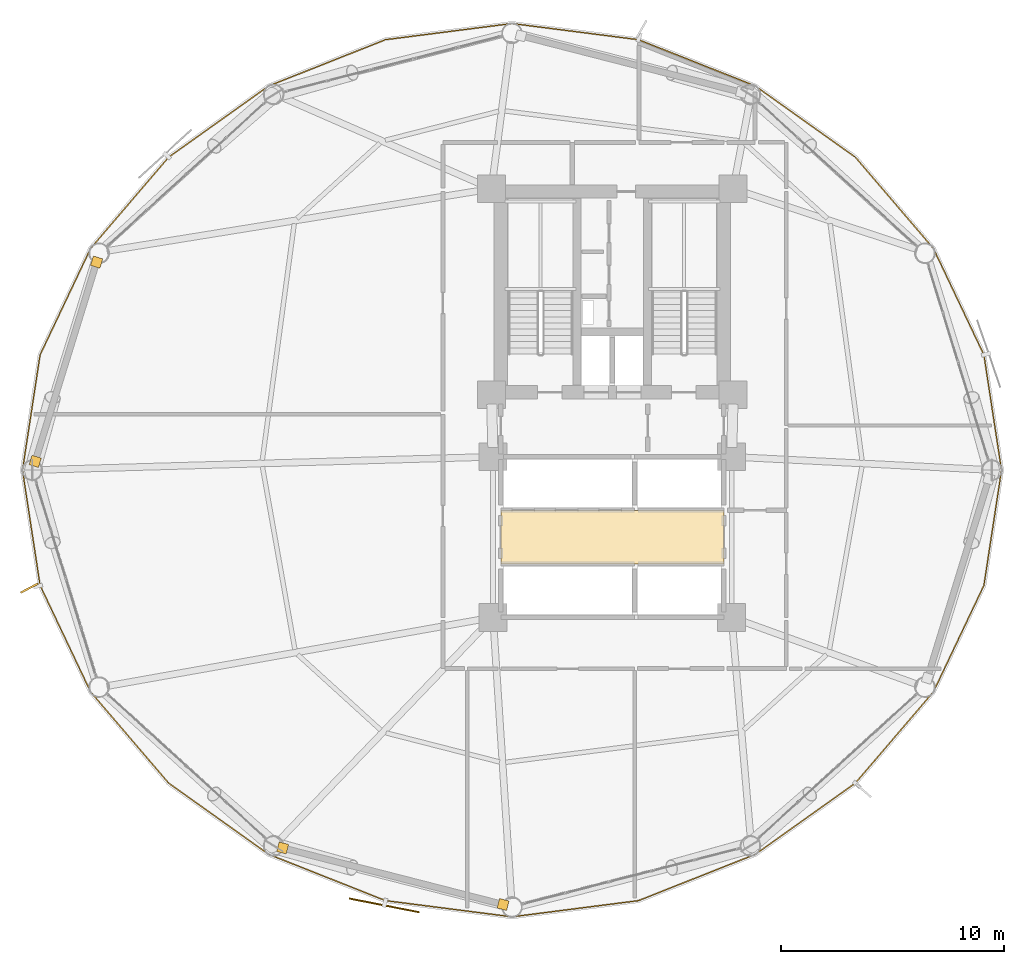
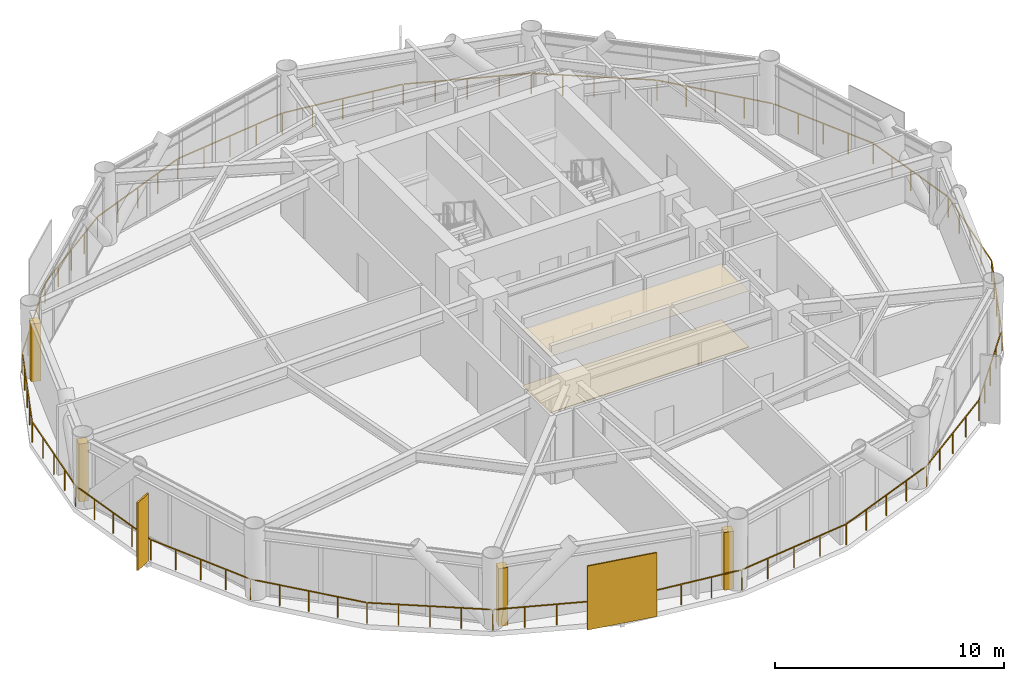
# One storey, part 23 of 25: 6 coverings, 2 shading devices, 1 railing.
"""IFC4 building model written with IfcOpenShell, lengths in metres."""

from ifc_helpers import new_model, si_unit, direction, frame, origin, origin_2d, place, context, subcontext, project, spatial, polyline, rectangle, outline, extrude, source, transform, mapped, material, layer, layer_set, type_object, type_shapes, element, save


model = new_model("IFC4")

# Units and contexts
model_context = context("Model", 3, precision=1e-05, world=origin(), true_north=direction((0.0, 1.0)))
body_context = subcontext(model_context, "Body", "Model", "MODEL_VIEW")
ifc_project = project(units=[si_unit("LENGTHUNIT", "METRE"), si_unit("AREAUNIT", "SQUARE_METRE"), si_unit("VOLUMEUNIT", "CUBIC_METRE"), si_unit("PLANEANGLEUNIT", "RADIAN"), si_unit("MASSUNIT", "GRAM", prefix="KILO")], contexts=[model_context])

# Site, building, storey
site_placement = place(None, origin())
site = spatial("IfcSite", under=ifc_project, at=site_placement, CompositionType="ELEMENT")
building_placement = place(site_placement, origin())
building = spatial("IfcBuilding", under=site, at=building_placement, Name="Varnakorn Sky Granary", CompositionType="ELEMENT")
storey_placement = place(building_placement, frame((0.0, 0.0, 62.699951171875)))
storey = spatial("IfcBuildingStorey", under=building, at=storey_placement, Name="L15", CompositionType="ELEMENT", Elevation=62.699951171875)

# Coverings
ifc_material_1 = material(Name="Perforated Acoustic Mineral-Fibre Ceiling", Category="gypsum")
ifc_layer_1 = layer(ifc_material_1, 0.02001953125, Name="Perforated Acoustic Mineral-Fibre Ceiling")
ifc_layer_set_1 = layer_set([ifc_layer_1], Name="Perforated Acoustic Mineral-Fibre Ceiling")
covering_type_1 = type_object("IfcCoveringType", Name="CV-CEIL-20", PredefinedType="CEILING", material=ifc_layer_set_1)
covering_1_placement = place(storey_placement, frame((0.0, 0.0, 2.989990234375)))
element("IfcCovering", 1, at=covering_1_placement, inside=storey, type_object=covering_type_1, Name="Lift Lobby Perforated Acoustic Ceiling L15", PredefinedType="CEILING", context=body_context, shape_type="SweptSolid", body=[
    extrude(outline(polyline([(-2.0, -4.199951171875), (8.0, -4.199951171875), (8.0, -1.800048828125), (-2.0, -1.800048828125), (-2.0, -4.199951171875)])), origin(), (0.0, 0.0, 1.0), 0.02001953125),
])
ifc_material_2 = material(Name="Honed Epoxy Terrazzo Topping", Category="concrete")
ifc_layer_2 = layer(ifc_material_2, 0.030029296875, Name="Honed Epoxy Terrazzo Topping")
ifc_layer_set_2 = layer_set([ifc_layer_2], Name="Honed Epoxy Terrazzo Topping")
covering_type_2 = type_object("IfcCoveringType", Name="CV-FLOR-30", PredefinedType="FLOORING", material=ifc_layer_set_2)
covering_2_placement = place(storey_placement, origin())
element("IfcCovering", 2, at=covering_2_placement, inside=storey, type_object=covering_type_2, Name="Lift Lobby Terrazzo Floor Finish L15", PredefinedType="FLOORING", context=body_context, shape_type="SweptSolid", body=[
    extrude(outline(polyline([(-2.0, -4.199951171875), (8.0, -4.199951171875), (8.0, -1.800048828125), (-2.0, -1.800048828125), (-2.0, -4.199951171875)])), origin(), (0.0, 0.0, 1.0), 0.030029296875),
])

# Railing
ifc_material_3 = material(Name="Anodised Bronze Aluminium Alloy 6063-T6", Category="aluminium")
railing_type = type_object("IfcRailingType", Name="RL-BAL-1120", PredefinedType="BALUSTRADE", material=ifc_material_3)
railing_placement = place(storey_placement, frame((20.454833984375, 0.0, 0.0)))
element("IfcRailing", 3, at=railing_placement, inside=storey, type_object=railing_type, Name="Perimeter Slab-Edge Safety Guard L15", PredefinedType="BALUSTRADE", context=body_context, shape_type="SweptSolid", body=[
    extrude(rectangle(XDim=0.048095703125, YDim=0.048095703125, at=origin_2d()), frame((-0.004150390625, -0.027587890625, 1.09619140625), z_axis=(-0.151159083681, -0.988509449333, 0.0), x_axis=(0.988509449333, -0.151159083681, 0.0)), (0.0, 0.0, 1.0), 5.173828125),
    extrude(rectangle(XDim=0.048095703125, YDim=0.048095703125, at=origin_2d()), frame((-0.802490234375, -5.195068359375, 1.09619140625), z_axis=(-0.428600646266, -0.903494043157, 0.0), x_axis=(0.903494043157, -0.428600646266, 0.0)), (0.0, 0.0, 1.0), 5.228271484375),
    extrude(rectangle(XDim=0.048095703125, YDim=0.048095703125, at=origin_2d()), frame((-3.07373046875, -9.96533203125, 1.09619140625), z_axis=(-0.6499954203, -0.759938124843, 0.0), x_axis=(0.759938124843, -0.6499954203, 0.0)), (0.0, 0.0, 1.0), 5.32666015625),
    extrude(rectangle(XDim=0.048095703125, YDim=0.048095703125, at=origin_2d()), frame((-6.576904296875, -14.051025390625, 1.09619140625), z_axis=(-0.814621741991, -0.579992601225, 0.0), x_axis=(0.579992601225, -0.814621741991, 0.0)), (0.0, 0.0, 1.0), 5.45361328125),
    extrude(rectangle(XDim=0.048095703125, YDim=0.048095703125, at=origin_2d()), frame((-11.068603515625, -17.240478515625, 1.09619140625), z_axis=(-0.929731866769, -0.368237227768, 0.0), x_axis=(0.368237227768, -0.929731866769, 0.0)), (0.0, 0.0, 1.0), 5.580810546875),
    extrude(rectangle(XDim=0.048095703125, YDim=0.048095703125, at=origin_2d()), frame((-16.31103515625, -19.3095703125, 1.09619140625), z_axis=(-0.991899606424, -0.127024292071, 0.0), x_axis=(0.127024292071, -0.991899606424, 0.0)), (0.0, 0.0, 1.0), 5.661865234375),
    extrude(rectangle(XDim=0.048095703125, YDim=0.048095703125, at=origin_2d()), frame((-21.982666015625, -20.028564453125, 1.09619140625), z_axis=(-0.991899606424, 0.127024292071, 0.0), x_axis=(-0.127024292071, -0.991899606424, 0.0)), (0.0, 0.0, 1.0), 5.661865234375),
    extrude(rectangle(XDim=0.048095703125, YDim=0.048095703125, at=origin_2d()), frame((-27.652587890625, -19.295654296875, 1.09619140625), z_axis=(-0.929731866769, 0.368237227768, 0.0), x_axis=(-0.368237227768, -0.929731866769, 0.0)), (0.0, 0.0, 1.0), 5.580810546875),
    extrude(rectangle(XDim=0.048095703125, YDim=0.048095703125, at=origin_2d()), frame((-32.889892578125, -17.2138671875, 1.09619140625), z_axis=(-0.814621741991, 0.579992601225, 0.0), x_axis=(-0.579992601225, -0.814621741991, 0.0)), (0.0, 0.0, 1.0), 5.45361328125),
    extrude(rectangle(XDim=0.048095703125, YDim=0.048095703125, at=origin_2d()), frame((-37.373779296875, -14.013427734375, 1.09619140625), z_axis=(-0.6499954203, 0.759938124843, 0.0), x_axis=(-0.759938124843, -0.6499954203, 0.0)), (0.0, 0.0, 1.0), 5.32666015625),
    extrude(rectangle(XDim=0.048095703125, YDim=0.048095703125, at=origin_2d()), frame((-40.8662109375, -9.918701171875, 1.09619140625), z_axis=(-0.428600646266, 0.903494043157, 0.0), x_axis=(-0.903494043157, -0.428600646266, 0.0)), (0.0, 0.0, 1.0), 5.228271484375),
    extrude(rectangle(XDim=0.048095703125, YDim=0.048095703125, at=origin_2d()), frame((-43.123291015625, -5.14208984375, 1.09619140625), z_axis=(-0.151159083681, 0.988509449333, 0.0), x_axis=(-0.988509449333, -0.151159083681, 0.0)), (0.0, 0.0, 1.0), 5.173828125),
    extrude(rectangle(XDim=0.048095703125, YDim=0.048095703125, at=origin_2d()), frame((-43.905517578125, 0.027587890625, 1.09619140625), z_axis=(0.151159083681, 0.988509449333, 0.0), x_axis=(-0.988509449333, 0.151159083681, 0.0)), (0.0, 0.0, 1.0), 5.173828125),
    extrude(rectangle(XDim=0.048095703125, YDim=0.048095703125, at=origin_2d()), frame((-43.107177734375, 5.195068359375, 1.09619140625), z_axis=(0.428600646266, 0.903494043157, 0.0), x_axis=(-0.903494043157, 0.428600646266, 0.0)), (0.0, 0.0, 1.0), 5.228271484375),
    extrude(rectangle(XDim=0.048095703125, YDim=0.048095703125, at=origin_2d()), frame((-40.8359375, 9.96533203125, 1.09619140625), z_axis=(0.6499954203, 0.759938124843, 0.0), x_axis=(-0.759938124843, 0.6499954203, 0.0)), (0.0, 0.0, 1.0), 5.32666015625),
    extrude(rectangle(XDim=0.048095703125, YDim=0.048095703125, at=origin_2d()), frame((-37.332763671875, 14.051025390625, 1.09619140625), z_axis=(0.814621741991, 0.579992601225, 0.0), x_axis=(-0.579992601225, 0.814621741991, 0.0)), (0.0, 0.0, 1.0), 5.45361328125),
    extrude(rectangle(XDim=0.048095703125, YDim=0.048095703125, at=origin_2d()), frame((-32.841064453125, 17.240478515625, 1.09619140625), z_axis=(0.929731866769, 0.368237227768, 0.0), x_axis=(-0.368237227768, 0.929731866769, 0.0)), (0.0, 0.0, 1.0), 5.580810546875),
    extrude(rectangle(XDim=0.048095703125, YDim=0.048095703125, at=origin_2d()), frame((-27.5986328125, 19.3095703125, 1.09619140625), z_axis=(0.991899606424, 0.127024292071, 0.0), x_axis=(-0.127024292071, 0.991899606424, 0.0)), (0.0, 0.0, 1.0), 5.661865234375),
    extrude(rectangle(XDim=0.048095703125, YDim=0.048095703125, at=origin_2d()), frame((-21.927001953125, 20.028564453125, 1.09619140625), z_axis=(0.991899606424, -0.127024292071, 0.0), x_axis=(0.127024292071, 0.991899606424, 0.0)), (0.0, 0.0, 1.0), 5.661865234375),
    extrude(rectangle(XDim=0.048095703125, YDim=0.048095703125, at=origin_2d()), frame((-16.257080078125, 19.295654296875, 1.09619140625), z_axis=(0.929731866769, -0.368237227768, 0.0), x_axis=(0.368237227768, 0.929731866769, 0.0)), (0.0, 0.0, 1.0), 5.580810546875),
    extrude(rectangle(XDim=0.048095703125, YDim=0.048095703125, at=origin_2d()), frame((-11.019775390625, 17.2138671875, 1.09619140625), z_axis=(0.814621741991, -0.579992601225, 0.0), x_axis=(0.579992601225, 0.814621741991, 0.0)), (0.0, 0.0, 1.0), 5.45361328125),
    extrude(rectangle(XDim=0.048095703125, YDim=0.048095703125, at=origin_2d()), frame((-6.535888671875, 14.013427734375, 1.09619140625), z_axis=(0.6499954203, -0.759938124843, 0.0), x_axis=(0.759938124843, 0.6499954203, 0.0)), (0.0, 0.0, 1.0), 5.32666015625),
    extrude(rectangle(XDim=0.048095703125, YDim=0.048095703125, at=origin_2d()), frame((-3.04345703125, 9.918701171875, 1.09619140625), z_axis=(0.428600646266, -0.903494043157, 0.0), x_axis=(0.903494043157, 0.428600646266, 0.0)), (0.0, 0.0, 1.0), 5.228271484375),
    extrude(rectangle(XDim=0.048095703125, YDim=0.048095703125, at=origin_2d()), frame((-0.786376953125, 5.14208984375, 1.09619140625), z_axis=(0.151159083681, -0.988509449333, 0.0), x_axis=(0.988509449333, 0.151159083681, 0.0)), (0.0, 0.0, 1.0), 5.173828125),
    extrude(rectangle(XDim=0.0419921875, YDim=0.0419921875, at=origin_2d()), origin(), (0.0, 0.0, 1.0), 1.068115234375),
    extrude(rectangle(XDim=0.0419921875, YDim=0.0419921875, at=origin_2d()), frame((-0.19775390625, -1.29248046875, 0.0)), (0.0, 0.0, 1.0), 1.068115234375),
    extrude(rectangle(XDim=0.0419921875, YDim=0.0419921875, at=origin_2d()), frame((-0.395263671875, -2.5849609375, 0.0)), (0.0, 0.0, 1.0), 1.068115234375),
    extrude(rectangle(XDim=0.0419921875, YDim=0.0419921875, at=origin_2d()), frame((-0.5927734375, -3.877197265625, 0.0)), (0.0, 0.0, 1.0), 1.068115234375),
    extrude(rectangle(XDim=0.0419921875, YDim=0.0419921875, at=origin_2d()), frame((-0.79052734375, -5.169677734375, 0.0)), (0.0, 0.0, 1.0), 1.068115234375),
    extrude(rectangle(XDim=0.0419921875, YDim=0.0419921875, at=origin_2d()), frame((-1.356689453125, -6.36328125, 0.0)), (0.0, 0.0, 1.0), 1.068115234375),
    extrude(rectangle(XDim=0.0419921875, YDim=0.0419921875, at=origin_2d()), frame((-1.9228515625, -7.556884765625, 0.0)), (0.0, 0.0, 1.0), 1.068115234375),
    extrude(rectangle(XDim=0.0419921875, YDim=0.0419921875, at=origin_2d()), frame((-2.4892578125, -8.75048828125, 0.0)), (0.0, 0.0, 1.0), 1.068115234375),
    extrude(rectangle(XDim=0.0419921875, YDim=0.0419921875, at=origin_2d()), frame((-3.055419921875, -9.944091796875, 0.0)), (0.0, 0.0, 1.0), 1.068115234375),
    extrude(rectangle(XDim=0.0419921875, YDim=0.0419921875, at=origin_2d()), frame((-3.93017578125, -10.966796875, 0.0)), (0.0, 0.0, 1.0), 1.068115234375),
    extrude(rectangle(XDim=0.0419921875, YDim=0.0419921875, at=origin_2d()), frame((-4.8046875, -11.9892578125, 0.0)), (0.0, 0.0, 1.0), 1.068115234375),
    extrude(rectangle(XDim=0.0419921875, YDim=0.0419921875, at=origin_2d()), frame((-5.679443359375, -13.011962890625, 0.0)), (0.0, 0.0, 1.0), 1.068115234375),
    extrude(rectangle(XDim=0.0419921875, YDim=0.0419921875, at=origin_2d()), frame((-6.55419921875, -14.03466796875, 0.0)), (0.0, 0.0, 1.0), 1.068115234375),
    extrude(rectangle(XDim=0.0419921875, YDim=0.0419921875, at=origin_2d()), frame((-7.67626953125, -14.83349609375, 0.0)), (0.0, 0.0, 1.0), 1.068115234375),
    extrude(rectangle(XDim=0.0419921875, YDim=0.0419921875, at=origin_2d()), frame((-8.79833984375, -15.63232421875, 0.0)), (0.0, 0.0, 1.0), 1.068115234375),
    extrude(rectangle(XDim=0.0419921875, YDim=0.0419921875, at=origin_2d()), frame((-9.92041015625, -16.431396484375, 0.0)), (0.0, 0.0, 1.0), 1.068115234375),
    extrude(rectangle(XDim=0.0419921875, YDim=0.0419921875, at=origin_2d()), frame((-11.04248046875, -17.230224609375, 0.0)), (0.0, 0.0, 1.0), 1.068115234375),
    extrude(rectangle(XDim=0.0419921875, YDim=0.0419921875, at=origin_2d()), frame((-12.3525390625, -17.7490234375, 0.0)), (0.0, 0.0, 1.0), 1.068115234375),
    extrude(rectangle(XDim=0.0419921875, YDim=0.0419921875, at=origin_2d()), frame((-13.662841796875, -18.26806640625, 0.0)), (0.0, 0.0, 1.0), 1.068115234375),
    extrude(rectangle(XDim=0.0419921875, YDim=0.0419921875, at=origin_2d()), frame((-14.97314453125, -18.787109375, 0.0)), (0.0, 0.0, 1.0), 1.068115234375),
    extrude(rectangle(XDim=0.0419921875, YDim=0.0419921875, at=origin_2d()), frame((-16.283203125, -19.305908203125, 0.0)), (0.0, 0.0, 1.0), 1.068115234375),
    extrude(rectangle(XDim=0.0419921875, YDim=0.0419921875, at=origin_2d()), frame((-17.701171875, -19.487548828125, 0.0)), (0.0, 0.0, 1.0), 1.068115234375),
    extrude(rectangle(XDim=0.0419921875, YDim=0.0419921875, at=origin_2d()), frame((-19.119140625, -19.6689453125, 0.0)), (0.0, 0.0, 1.0), 1.068115234375),
    extrude(rectangle(XDim=0.0419921875, YDim=0.0419921875, at=origin_2d()), frame((-20.536865234375, -19.8505859375, 0.0)), (0.0, 0.0, 1.0), 1.068115234375),
    extrude(rectangle(XDim=0.0419921875, YDim=0.0419921875, at=origin_2d()), frame((-21.954833984375, -20.0322265625, 0.0)), (0.0, 0.0, 1.0), 1.068115234375),
    extrude(rectangle(XDim=0.0419921875, YDim=0.0419921875, at=origin_2d()), frame((-23.372802734375, -19.8505859375, 0.0)), (0.0, 0.0, 1.0), 1.068115234375),
    extrude(rectangle(XDim=0.0419921875, YDim=0.0419921875, at=origin_2d()), frame((-24.79052734375, -19.6689453125, 0.0)), (0.0, 0.0, 1.0), 1.068115234375),
    extrude(rectangle(XDim=0.0419921875, YDim=0.0419921875, at=origin_2d()), frame((-26.20849609375, -19.487548828125, 0.0)), (0.0, 0.0, 1.0), 1.068115234375),
    extrude(rectangle(XDim=0.0419921875, YDim=0.0419921875, at=origin_2d()), frame((-27.62646484375, -19.305908203125, 0.0)), (0.0, 0.0, 1.0), 1.068115234375),
    extrude(rectangle(XDim=0.0419921875, YDim=0.0419921875, at=origin_2d()), frame((-28.9365234375, -18.787109375, 0.0)), (0.0, 0.0, 1.0), 1.068115234375),
    extrude(rectangle(XDim=0.0419921875, YDim=0.0419921875, at=origin_2d()), frame((-30.246826171875, -18.26806640625, 0.0)), (0.0, 0.0, 1.0), 1.068115234375),
    extrude(rectangle(XDim=0.0419921875, YDim=0.0419921875, at=origin_2d()), frame((-31.55712890625, -17.7490234375, 0.0)), (0.0, 0.0, 1.0), 1.068115234375),
    extrude(rectangle(XDim=0.0419921875, YDim=0.0419921875, at=origin_2d()), frame((-32.8671875, -17.230224609375, 0.0)), (0.0, 0.0, 1.0), 1.068115234375),
    extrude(rectangle(XDim=0.0419921875, YDim=0.0419921875, at=origin_2d()), frame((-33.9892578125, -16.431396484375, 0.0)), (0.0, 0.0, 1.0), 1.068115234375),
    extrude(rectangle(XDim=0.0419921875, YDim=0.0419921875, at=origin_2d()), frame((-35.111328125, -15.63232421875, 0.0)), (0.0, 0.0, 1.0), 1.068115234375),
    extrude(rectangle(XDim=0.0419921875, YDim=0.0419921875, at=origin_2d()), frame((-36.2333984375, -14.83349609375, 0.0)), (0.0, 0.0, 1.0), 1.068115234375),
    extrude(rectangle(XDim=0.0419921875, YDim=0.0419921875, at=origin_2d()), frame((-37.35546875, -14.03466796875, 0.0)), (0.0, 0.0, 1.0), 1.068115234375),
    extrude(rectangle(XDim=0.0419921875, YDim=0.0419921875, at=origin_2d()), frame((-38.230224609375, -13.011962890625, 0.0)), (0.0, 0.0, 1.0), 1.068115234375),
    extrude(rectangle(XDim=0.0419921875, YDim=0.0419921875, at=origin_2d()), frame((-39.10498046875, -11.9892578125, 0.0)), (0.0, 0.0, 1.0), 1.068115234375),
    extrude(rectangle(XDim=0.0419921875, YDim=0.0419921875, at=origin_2d()), frame((-39.9794921875, -10.966796875, 0.0)), (0.0, 0.0, 1.0), 1.068115234375),
    extrude(rectangle(XDim=0.0419921875, YDim=0.0419921875, at=origin_2d()), frame((-40.854248046875, -9.944091796875, 0.0)), (0.0, 0.0, 1.0), 1.068115234375),
    extrude(rectangle(XDim=0.0419921875, YDim=0.0419921875, at=origin_2d()), frame((-41.42041015625, -8.75048828125, 0.0)), (0.0, 0.0, 1.0), 1.068115234375),
    extrude(rectangle(XDim=0.0419921875, YDim=0.0419921875, at=origin_2d()), frame((-41.98681640625, -7.556884765625, 0.0)), (0.0, 0.0, 1.0), 1.068115234375),
    extrude(rectangle(XDim=0.0419921875, YDim=0.0419921875, at=origin_2d()), frame((-42.552978515625, -6.36328125, 0.0)), (0.0, 0.0, 1.0), 1.068115234375),
    extrude(rectangle(XDim=0.0419921875, YDim=0.0419921875, at=origin_2d()), frame((-43.119140625, -5.169677734375, 0.0)), (0.0, 0.0, 1.0), 1.068115234375),
    extrude(rectangle(XDim=0.0419921875, YDim=0.0419921875, at=origin_2d()), frame((-43.31689453125, -3.877197265625, 0.0)), (0.0, 0.0, 1.0), 1.068115234375),
    extrude(rectangle(XDim=0.0419921875, YDim=0.0419921875, at=origin_2d()), frame((-43.514404296875, -2.5849609375, 0.0)), (0.0, 0.0, 1.0), 1.068115234375),
    extrude(rectangle(XDim=0.0419921875, YDim=0.0419921875, at=origin_2d()), frame((-43.7119140625, -1.29248046875, 0.0)), (0.0, 0.0, 1.0), 1.068115234375),
    extrude(rectangle(XDim=0.0419921875, YDim=0.0419921875, at=origin_2d()), frame((-43.90966796875, 0.0, 0.0)), (0.0, 0.0, 1.0), 1.068115234375),
    extrude(rectangle(XDim=0.0419921875, YDim=0.0419921875, at=origin_2d()), frame((-43.7119140625, 1.29248046875, 0.0)), (0.0, 0.0, 1.0), 1.068115234375),
    extrude(rectangle(XDim=0.0419921875, YDim=0.0419921875, at=origin_2d()), frame((-43.514404296875, 2.5849609375, 0.0)), (0.0, 0.0, 1.0), 1.068115234375),
    extrude(rectangle(XDim=0.0419921875, YDim=0.0419921875, at=origin_2d()), frame((-43.31689453125, 3.877197265625, 0.0)), (0.0, 0.0, 1.0), 1.068115234375),
    extrude(rectangle(XDim=0.0419921875, YDim=0.0419921875, at=origin_2d()), frame((-43.119140625, 5.169677734375, 0.0)), (0.0, 0.0, 1.0), 1.068115234375),
    extrude(rectangle(XDim=0.0419921875, YDim=0.0419921875, at=origin_2d()), frame((-42.552978515625, 6.36328125, 0.0)), (0.0, 0.0, 1.0), 1.068115234375),
    extrude(rectangle(XDim=0.0419921875, YDim=0.0419921875, at=origin_2d()), frame((-41.98681640625, 7.556884765625, 0.0)), (0.0, 0.0, 1.0), 1.068115234375),
    extrude(rectangle(XDim=0.0419921875, YDim=0.0419921875, at=origin_2d()), frame((-41.42041015625, 8.75048828125, 0.0)), (0.0, 0.0, 1.0), 1.068115234375),
    extrude(rectangle(XDim=0.0419921875, YDim=0.0419921875, at=origin_2d()), frame((-40.854248046875, 9.944091796875, 0.0)), (0.0, 0.0, 1.0), 1.068115234375),
    extrude(rectangle(XDim=0.0419921875, YDim=0.0419921875, at=origin_2d()), frame((-39.9794921875, 10.966796875, 0.0)), (0.0, 0.0, 1.0), 1.068115234375),
    extrude(rectangle(XDim=0.0419921875, YDim=0.0419921875, at=origin_2d()), frame((-39.10498046875, 11.9892578125, 0.0)), (0.0, 0.0, 1.0), 1.068115234375),
    extrude(rectangle(XDim=0.0419921875, YDim=0.0419921875, at=origin_2d()), frame((-38.230224609375, 13.011962890625, 0.0)), (0.0, 0.0, 1.0), 1.068115234375),
    extrude(rectangle(XDim=0.0419921875, YDim=0.0419921875, at=origin_2d()), frame((-37.35546875, 14.03466796875, 0.0)), (0.0, 0.0, 1.0), 1.068115234375),
    extrude(rectangle(XDim=0.0419921875, YDim=0.0419921875, at=origin_2d()), frame((-36.2333984375, 14.83349609375, 0.0)), (0.0, 0.0, 1.0), 1.068115234375),
    extrude(rectangle(XDim=0.0419921875, YDim=0.0419921875, at=origin_2d()), frame((-35.111328125, 15.63232421875, 0.0)), (0.0, 0.0, 1.0), 1.068115234375),
    extrude(rectangle(XDim=0.0419921875, YDim=0.0419921875, at=origin_2d()), frame((-33.9892578125, 16.431396484375, 0.0)), (0.0, 0.0, 1.0), 1.068115234375),
    extrude(rectangle(XDim=0.0419921875, YDim=0.0419921875, at=origin_2d()), frame((-32.8671875, 17.230224609375, 0.0)), (0.0, 0.0, 1.0), 1.068115234375),
    extrude(rectangle(XDim=0.0419921875, YDim=0.0419921875, at=origin_2d()), frame((-31.55712890625, 17.7490234375, 0.0)), (0.0, 0.0, 1.0), 1.068115234375),
    extrude(rectangle(XDim=0.0419921875, YDim=0.0419921875, at=origin_2d()), frame((-30.246826171875, 18.26806640625, 0.0)), (0.0, 0.0, 1.0), 1.068115234375),
    extrude(rectangle(XDim=0.0419921875, YDim=0.0419921875, at=origin_2d()), frame((-28.9365234375, 18.787109375, 0.0)), (0.0, 0.0, 1.0), 1.068115234375),
    extrude(rectangle(XDim=0.0419921875, YDim=0.0419921875, at=origin_2d()), frame((-27.62646484375, 19.305908203125, 0.0)), (0.0, 0.0, 1.0), 1.068115234375),
    extrude(rectangle(XDim=0.0419921875, YDim=0.0419921875, at=origin_2d()), frame((-26.20849609375, 19.487548828125, 0.0)), (0.0, 0.0, 1.0), 1.068115234375),
    extrude(rectangle(XDim=0.0419921875, YDim=0.0419921875, at=origin_2d()), frame((-24.79052734375, 19.6689453125, 0.0)), (0.0, 0.0, 1.0), 1.068115234375),
    extrude(rectangle(XDim=0.0419921875, YDim=0.0419921875, at=origin_2d()), frame((-23.372802734375, 19.8505859375, 0.0)), (0.0, 0.0, 1.0), 1.068115234375),
    extrude(rectangle(XDim=0.0419921875, YDim=0.0419921875, at=origin_2d()), frame((-21.954833984375, 20.0322265625, 0.0)), (0.0, 0.0, 1.0), 1.068115234375),
    extrude(rectangle(XDim=0.0419921875, YDim=0.0419921875, at=origin_2d()), frame((-20.536865234375, 19.8505859375, 0.0)), (0.0, 0.0, 1.0), 1.068115234375),
    extrude(rectangle(XDim=0.0419921875, YDim=0.0419921875, at=origin_2d()), frame((-19.119140625, 19.6689453125, 0.0)), (0.0, 0.0, 1.0), 1.068115234375),
    extrude(rectangle(XDim=0.0419921875, YDim=0.0419921875, at=origin_2d()), frame((-17.701171875, 19.487548828125, 0.0)), (0.0, 0.0, 1.0), 1.068115234375),
    extrude(rectangle(XDim=0.0419921875, YDim=0.0419921875, at=origin_2d()), frame((-16.283203125, 19.305908203125, 0.0)), (0.0, 0.0, 1.0), 1.068115234375),
    extrude(rectangle(XDim=0.0419921875, YDim=0.0419921875, at=origin_2d()), frame((-14.97314453125, 18.787109375, 0.0)), (0.0, 0.0, 1.0), 1.068115234375),
    extrude(rectangle(XDim=0.0419921875, YDim=0.0419921875, at=origin_2d()), frame((-13.662841796875, 18.26806640625, 0.0)), (0.0, 0.0, 1.0), 1.068115234375),
    extrude(rectangle(XDim=0.0419921875, YDim=0.0419921875, at=origin_2d()), frame((-12.3525390625, 17.7490234375, 0.0)), (0.0, 0.0, 1.0), 1.068115234375),
    extrude(rectangle(XDim=0.0419921875, YDim=0.0419921875, at=origin_2d()), frame((-11.04248046875, 17.230224609375, 0.0)), (0.0, 0.0, 1.0), 1.068115234375),
    extrude(rectangle(XDim=0.0419921875, YDim=0.0419921875, at=origin_2d()), frame((-9.92041015625, 16.431396484375, 0.0)), (0.0, 0.0, 1.0), 1.068115234375),
    extrude(rectangle(XDim=0.0419921875, YDim=0.0419921875, at=origin_2d()), frame((-8.79833984375, 15.63232421875, 0.0)), (0.0, 0.0, 1.0), 1.068115234375),
    extrude(rectangle(XDim=0.0419921875, YDim=0.0419921875, at=origin_2d()), frame((-7.67626953125, 14.83349609375, 0.0)), (0.0, 0.0, 1.0), 1.068115234375),
    extrude(rectangle(XDim=0.0419921875, YDim=0.0419921875, at=origin_2d()), frame((-6.55419921875, 14.03466796875, 0.0)), (0.0, 0.0, 1.0), 1.068115234375),
    extrude(rectangle(XDim=0.0419921875, YDim=0.0419921875, at=origin_2d()), frame((-5.679443359375, 13.011962890625, 0.0)), (0.0, 0.0, 1.0), 1.068115234375),
    extrude(rectangle(XDim=0.0419921875, YDim=0.0419921875, at=origin_2d()), frame((-4.8046875, 11.9892578125, 0.0)), (0.0, 0.0, 1.0), 1.068115234375),
    extrude(rectangle(XDim=0.0419921875, YDim=0.0419921875, at=origin_2d()), frame((-3.93017578125, 10.966796875, 0.0)), (0.0, 0.0, 1.0), 1.068115234375),
    extrude(rectangle(XDim=0.0419921875, YDim=0.0419921875, at=origin_2d()), frame((-3.055419921875, 9.944091796875, 0.0)), (0.0, 0.0, 1.0), 1.068115234375),
    extrude(rectangle(XDim=0.0419921875, YDim=0.0419921875, at=origin_2d()), frame((-2.4892578125, 8.75048828125, 0.0)), (0.0, 0.0, 1.0), 1.068115234375),
    extrude(rectangle(XDim=0.0419921875, YDim=0.0419921875, at=origin_2d()), frame((-1.9228515625, 7.556884765625, 0.0)), (0.0, 0.0, 1.0), 1.068115234375),
    extrude(rectangle(XDim=0.0419921875, YDim=0.0419921875, at=origin_2d()), frame((-1.356689453125, 6.36328125, 0.0)), (0.0, 0.0, 1.0), 1.068115234375),
    extrude(rectangle(XDim=0.0419921875, YDim=0.0419921875, at=origin_2d()), frame((-0.79052734375, 5.169677734375, 0.0)), (0.0, 0.0, 1.0), 1.068115234375),
    extrude(rectangle(XDim=0.0419921875, YDim=0.0419921875, at=origin_2d()), frame((-0.5927734375, 3.877197265625, 0.0)), (0.0, 0.0, 1.0), 1.068115234375),
    extrude(rectangle(XDim=0.0419921875, YDim=0.0419921875, at=origin_2d()), frame((-0.395263671875, 2.5849609375, 0.0)), (0.0, 0.0, 1.0), 1.068115234375),
    extrude(rectangle(XDim=0.0419921875, YDim=0.0419921875, at=origin_2d()), frame((-0.19775390625, 1.29248046875, 0.0)), (0.0, 0.0, 1.0), 1.068115234375),
])

# Shading device
shading_device_type_1 = type_object("IfcShadingDeviceType", Name="SH-FIN-01", PredefinedType="USERDEFINED", material=ifc_material_3)
shared_shape_1 = source(origin(), body_context, "Body", "SweptSolid", [
    extrude(rectangle(XDim=0.0849609375, YDim=0.8798828125, at=origin_2d()), origin(), (0.0, 0.0, 1.0), 3.60009765625),
])
type_shapes(shading_device_type_1, [shared_shape_1])
shading_device_1_placement = place(storey_placement, frame((-23.150146484375, -5.29150390625, -0.0400390625), z_axis=(0.0, 0.0, 1.0), x_axis=(0.468402486339, -0.883515201223, 0.0)))
element("IfcShadingDevice", 4, at=shading_device_1_placement, inside=storey, type_object=shading_device_type_1, Name="Bronze Solar-Tracking Vertical Blade FIN L15-07", ObjectType="FIN", PredefinedType="USERDEFINED", context=body_context, shape_type="MappedRepresentation", body=[
    mapped(shared_shape_1, transform((0.0, 0.0, 0.0), x_axis=(1.0, 0.0, 0.0), y_axis=(0.0, 1.0, 0.0), z_axis=(0.0, 0.0, 1.0), scale=1.0)),
])

# Coverings
ifc_layer_3 = layer(ifc_material_3, 0.050048828125, Name="Anodised Bronze Aluminium Alloy 6063-T6")
ifc_layer_set_3 = layer_set([ifc_layer_3], Name="Anodised Bronze Aluminium Alloy 6063-T6")
covering_type_3 = type_object("IfcCoveringType", Name="CV-CLAD-50", PredefinedType="CLADDING", material=ifc_layer_set_3)
shared_shape_2 = source(origin(), body_context, "Body", "SweptSolid", [
    extrude(rectangle(XDim=0.43994140625, YDim=0.43994140625, at=origin_2d()), origin(), (0.0, 0.0, 1.0), 3.080078125),
])
type_shapes(covering_type_3, [shared_shape_2])
for number, where, z_axis, x_axis, name in (
    (5, (-22.884521484375, 0.393798828125, -0.02001953125), (0.0, 0.0, 1.0), (0.294707522925, 0.955587503022, 0.0), "Bronze Corner Pilaster Closure L15-P06-A"),
    (6, (-20.129150390625, 9.330322265625, -0.02001953125), (0.0, 0.0, 1.0), (0.294707522925, 0.955587503022, 0.0), "Bronze Corner Pilaster Closure L15-P06-B"),
    (7, (-1.899169921875, -19.480712890625, -0.02001953125), (0.0, 0.0, 1.0), (-0.968669911264, 0.248351772716, 0.0), "Bronze Corner Pilaster Closure L15-P09-A"),
    (8, (-11.786376953125, -16.94482421875, -0.02001953125), (0.0, 0.0, 1.0), (-0.968669911264, 0.248351772716, 0.0), "Bronze Corner Pilaster Closure L15-P09-B"),
):
    element("IfcCovering", number, at=place(storey_placement, frame(where, z_axis=z_axis, x_axis=x_axis)), inside=storey, type_object=covering_type_3, Name=name, PredefinedType="CLADDING", context=body_context, shape_type="MappedRepresentation", body=[
        mapped(shared_shape_2, transform((0.0, 0.0, 0.0), x_axis=(1.0, 0.0, 0.0), y_axis=(0.0, 1.0, 0.0), z_axis=(0.0, 0.0, 1.0), scale=1.0)),
    ])

# Shading device
shading_device_type_2 = type_object("IfcShadingDeviceType", Name="SH-SCR-01", PredefinedType="USERDEFINED", material=ifc_material_3)
shared_shape_3 = source(origin(), body_context, "Body", "SweptSolid", [
    extrude(rectangle(XDim=3.199951171875, YDim=0.06494140625, at=origin_2d()), origin(), (0.0, 0.0, 1.0), 3.39990234375),
])
type_shapes(shading_device_type_2, [shared_shape_3])
shading_device_2_placement = place(storey_placement, frame((-7.2333984375, -19.517822265625, -0.039794921875), z_axis=(0.0, 0.0, 1.0), x_axis=(0.981224272056, -0.192870235983, 0.0)))
element("IfcShadingDevice", 9, at=shading_device_2_placement, inside=storey, type_object=shading_device_type_2, Name="Perforated Bronze Solar Screen Panel SCREEN L15-09", ObjectType="SCREEN", PredefinedType="USERDEFINED", context=body_context, shape_type="MappedRepresentation", body=[
    mapped(shared_shape_3, transform((0.0, 0.0, 0.0), x_axis=(1.0, 0.0, 0.0), y_axis=(0.0, 1.0, 0.0), z_axis=(0.0, 0.0, 1.0), scale=1.0)),
])

save(model, "model.ifc")
